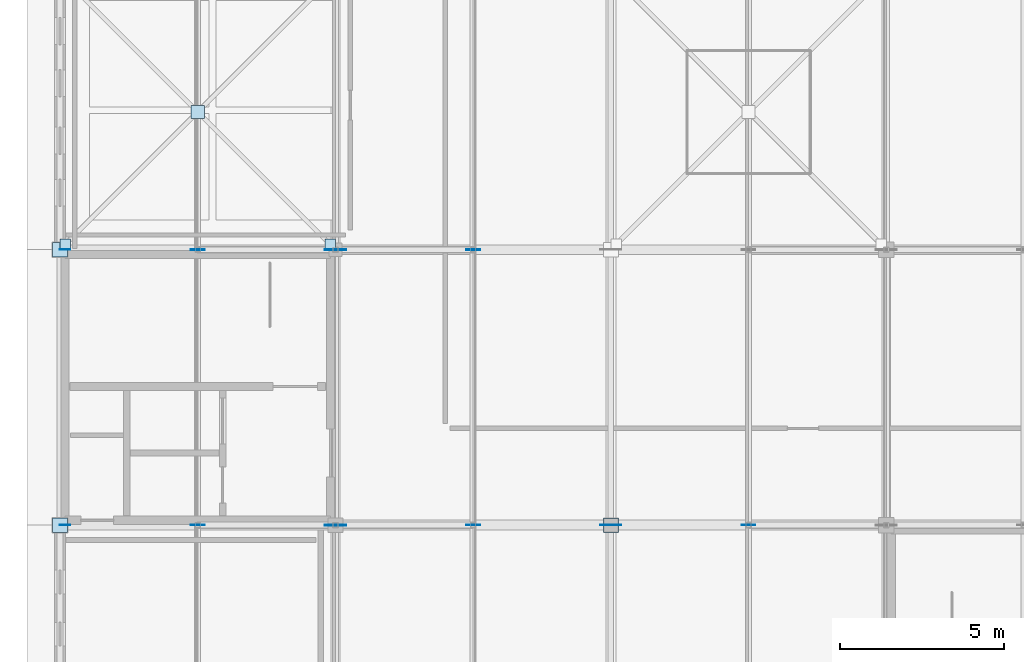
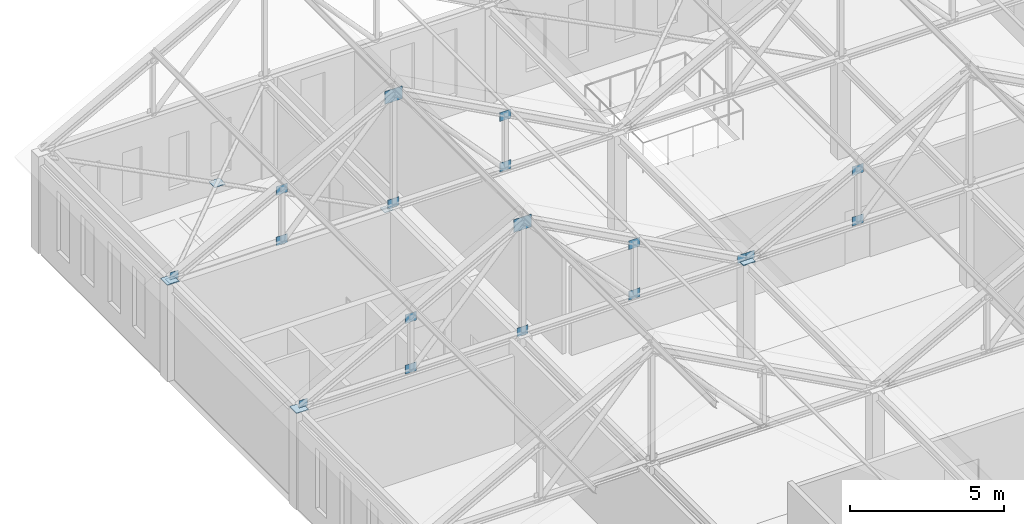
# One storey, part 26 of 36: 24 plates.
"""IFC4 building model written with IfcOpenShell, lengths in metres."""

from ifc_helpers import new_model, si_unit, direction, frame, origin, origin_2d, place, context, subcontext, project, spatial, rectangle, extrude, material, layer, layer_set, type_object, element, save


model = new_model("IFC4")

# Units and contexts
model_context = context("Model", 3, precision=1e-05, world=origin(), true_north=direction((0.0, 1.0)))
body_context = subcontext(model_context, "Body", "Model", "MODEL_VIEW")
ifc_project = project(units=[si_unit("LENGTHUNIT", "METRE"), si_unit("AREAUNIT", "SQUARE_METRE"), si_unit("VOLUMEUNIT", "CUBIC_METRE"), si_unit("PLANEANGLEUNIT", "RADIAN"), si_unit("MASSUNIT", "GRAM", prefix="KILO")], contexts=[model_context])

# Site, building, storey
site_placement = place(None, origin())
site = spatial("IfcSite", under=ifc_project, at=site_placement, CompositionType="ELEMENT")
building_placement = place(site_placement, origin())
building = spatial("IfcBuilding", under=site, at=building_placement, Name="Kveldsbrygga Polytechnic", CompositionType="ELEMENT")
storey_placement = place(building_placement, frame((0.0, 0.0, 26.179931640625)))
storey = spatial("IfcBuildingStorey", under=building, at=storey_placement, Name="L06", CompositionType="ELEMENT", Elevation=26.179931640625)

# Plates
ifc_material = material(Name="Steel S355", Category="steel")
ifc_layer_1 = layer(ifc_material, 0.030029296875)
ifc_layer_set_1 = layer_set([ifc_layer_1], Name="Steel S355")
plate_type_1 = type_object("IfcPlateType", Name="CAP-BEAR-450", PredefinedType="SHEET", material=ifc_layer_set_1)
for number, where, z_axis, x_axis, name in (
    (1, (126.0, 84.0, 3.81005859375), (0.0, 0.0, 1.0), (1.0, 0.0, 0.0), "Truss Bearing Plate V4M1-T09-A"),
    (2, (142.800048828125, 84.0, 3.81005859375), (0.0, 0.0, 1.0), (1.0, 0.0, 0.0), "Truss Bearing Plate V4M1-T09-B"),
    (3, (126.0, 92.39990234375, 3.81005859375), (0.0, 0.0, 1.0), (1.0, 0.0, 0.0), "Truss Bearing Plate V4M1-T10-A"),
):
    element("IfcPlate", number, at=place(storey_placement, frame(where, z_axis=z_axis, x_axis=x_axis)), inside=storey, type_object=plate_type_1, Name=name, PredefinedType="SHEET", context=body_context, shape_type="SweptSolid", body=[
        extrude(rectangle(XDim=0.449951171875, YDim=0.449951171875, at=origin_2d()), origin(), (0.0, 0.0, 1.0), 0.030029296875),
    ])
ifc_layer_2 = layer(ifc_material, 0.02490234375)
ifc_layer_set_2 = layer_set([ifc_layer_2], Name="Steel S355")
plate_type_2 = type_object("IfcPlateType", Name="GUS-APEX-650", PredefinedType="SHEET", material=ifc_layer_set_2)
for number, where, z_axis, x_axis, name in (
    (4, (134.39990234375, 84.0, 7.989990234375), (0.0, 0.0, 1.0), (1.0, 0.0, 0.0), "Truss Gusset Plate V4M1-T09-GP-2"),
    (5, (134.39990234375, 92.39990234375, 7.989990234375), (0.0, 0.0, 1.0), (1.0, 0.0, 0.0), "Truss Gusset Plate V4M1-T10-GP-2"),
):
    element("IfcPlate", number, at=place(storey_placement, frame(where, z_axis=z_axis, x_axis=x_axis)), inside=storey, type_object=plate_type_2, Name=name, PredefinedType="SHEET", context=body_context, shape_type="SweptSolid", body=[
        extrude(rectangle(XDim=0.64990234375, YDim=0.02490234375, at=origin_2d()), origin(), (0.0, 0.0, 1.0), 0.5),
    ])
ifc_layer_3 = layer(ifc_material, 0.01806640625)
ifc_layer_set_3 = layer_set([ifc_layer_3], Name="Steel S355")
plate_type_3 = type_object("IfcPlateType", Name="GUS-BRACE-320", PredefinedType="SHEET", material=ifc_layer_set_3)
for number, where, z_axis, x_axis, name in (
    (6, (126.159912109375, 84.0, 3.7998046875), (0.0, 0.0, 1.0), (1.0, 0.0, 0.0), "Truss Eaves Node Gusset V4M1-T09-EGP-A"),
    (7, (142.639892578125, 84.0, 3.7998046875), (0.0, 0.0, 1.0), (1.0, 0.0, 0.0), "Truss Eaves Node Gusset V4M1-T09-EGP-B"),
    (8, (126.159912109375, 92.39990234375, 3.7998046875), (0.0, 0.0, 1.0), (1.0, 0.0, 0.0), "Truss Eaves Node Gusset V4M1-T10-EGP-A"),
    (9, (142.9599609375, 84.0, 3.7998046875), (0.0, 0.0, 1.0), (1.0, 0.0, 0.0), "Truss Eaves Node Gusset V4M2-T09-EGP-A"),
):
    element("IfcPlate", number, at=place(storey_placement, frame(where, z_axis=z_axis, x_axis=x_axis)), inside=storey, type_object=plate_type_3, Name=name, PredefinedType="SHEET", context=body_context, shape_type="SweptSolid", body=[
        extrude(rectangle(XDim=0.320068359375, YDim=0.01806640625, at=origin_2d()), origin(), (0.0, 0.0, 1.0), 0.320068359375),
    ])
for number, where, z_axis, x_axis, name in (
    (10, (126.159912109375, 92.56005859375, 3.6611328125), (0.0, 0.0, 1.0), (1.0, 0.0, 0.0), "Attic Brace End Gusset XGP-RBR-15-11-1"),
    (11, (134.239990234375, 92.56005859375, 3.6611328125), (0.0, 0.0, 1.0), (1.0, 0.0, 0.0), "Attic Brace End Gusset XGP-RBR-15-11-4"),
):
    element("IfcPlate", number, at=place(storey_placement, frame(where, z_axis=z_axis, x_axis=x_axis)), inside=storey, type_object=plate_type_3, Name=name, PredefinedType="SHEET", context=body_context, shape_type="SweptSolid", body=[
        extrude(rectangle(XDim=0.320068359375, YDim=0.320068359375, at=origin_2d()), origin(), (0.0, 0.0, 1.0), 0.01806640625),
    ])
ifc_layer_4 = layer(ifc_material, 0.02001953125)
ifc_layer_set_4 = layer_set([ifc_layer_4], Name="Steel S355")
plate_type_4 = type_object("IfcPlateType", Name="GUS-LECT-420", PredefinedType="SHEET", material=ifc_layer_set_4)
for number, where, z_axis, x_axis, name in (
    (12, (130.199951171875, 84.0, 5.7900390625), (0.0, 0.0, 1.0), (1.0, 0.0, 0.0), "Truss Gusset Plate V4M1-T09-GP-1"),
    (13, (130.199951171875, 84.0, 3.784912109375), (0.0, 0.0, 1.0), (1.0, 0.0, 0.0), "Truss Bottom-Chord Node Gusset V4M1-T09-BGP-1"),
    (14, (134.39990234375, 84.0, 3.784912109375), (0.0, 0.0, 1.0), (1.0, 0.0, 0.0), "Truss Bottom-Chord Node Gusset V4M1-T09-BGP-2"),
    (15, (138.60009765625, 84.0, 5.7900390625), (0.0, 0.0, 1.0), (1.0, 0.0, 0.0), "Truss Gusset Plate V4M1-T09-GP-3"),
    (16, (138.60009765625, 84.0, 3.784912109375), (0.0, 0.0, 1.0), (1.0, 0.0, 0.0), "Truss Bottom-Chord Node Gusset V4M1-T09-BGP-3"),
    (17, (130.199951171875, 92.39990234375, 5.7900390625), (0.0, 0.0, 1.0), (1.0, 0.0, 0.0), "Truss Gusset Plate V4M1-T10-GP-1"),
    (18, (130.199951171875, 92.39990234375, 3.784912109375), (0.0, 0.0, 1.0), (1.0, 0.0, 0.0), "Truss Bottom-Chord Node Gusset V4M1-T10-BGP-1"),
    (19, (134.39990234375, 92.39990234375, 3.784912109375), (0.0, 0.0, 1.0), (1.0, 0.0, 0.0), "Truss Bottom-Chord Node Gusset V4M1-T10-BGP-2"),
    (20, (138.60009765625, 92.39990234375, 5.7900390625), (0.0, 0.0, 1.0), (1.0, 0.0, 0.0), "Truss Gusset Plate V4M1-T10-GP-3"),
    (21, (138.60009765625, 92.39990234375, 3.784912109375), (0.0, 0.0, 1.0), (1.0, 0.0, 0.0), "Truss Bottom-Chord Node Gusset V4M1-T10-BGP-3"),
    (22, (147.0, 84.0, 5.7900390625), (0.0, 0.0, 1.0), (1.0, 0.0, 0.0), "Truss Gusset Plate V4M2-T09-GP-1"),
    (23, (147.0, 84.0, 3.784912109375), (0.0, 0.0, 1.0), (1.0, 0.0, 0.0), "Truss Bottom-Chord Node Gusset V4M2-T09-BGP-1"),
):
    element("IfcPlate", number, at=place(storey_placement, frame(where, z_axis=z_axis, x_axis=x_axis)), inside=storey, type_object=plate_type_4, Name=name, PredefinedType="SHEET", context=body_context, shape_type="SweptSolid", body=[
        extrude(rectangle(XDim=0.419921875, YDim=0.02001953125, at=origin_2d()), origin(), (0.0, 0.0, 1.0), 0.35009765625),
    ])
ifc_layer_5 = layer(ifc_material, 0.02001953125)
ifc_layer_set_5 = layer_set([ifc_layer_5], Name="Steel S355")
plate_type_5 = type_object("IfcPlateType", Name="GUS-XBRACE-400", PredefinedType="SHEET", material=ifc_layer_set_5)
plate_placement = place(storey_placement, frame((130.199951171875, 96.60009765625, 3.66015625), z_axis=(0.0, 0.0, 1.0), x_axis=(1.0, 0.0, 0.0)))
element("IfcPlate", 24, at=plate_placement, inside=storey, type_object=plate_type_5, Name="Attic X-Brace Crossing Gusset XGP-RBR-15-11-C", PredefinedType="SHEET", context=body_context, shape_type="SweptSolid", body=[
    extrude(rectangle(XDim=0.39990234375, YDim=0.39990234375, at=origin_2d()), origin(), (0.0, 0.0, 1.0), 0.02001953125),
])

save(model, "model.ifc")
